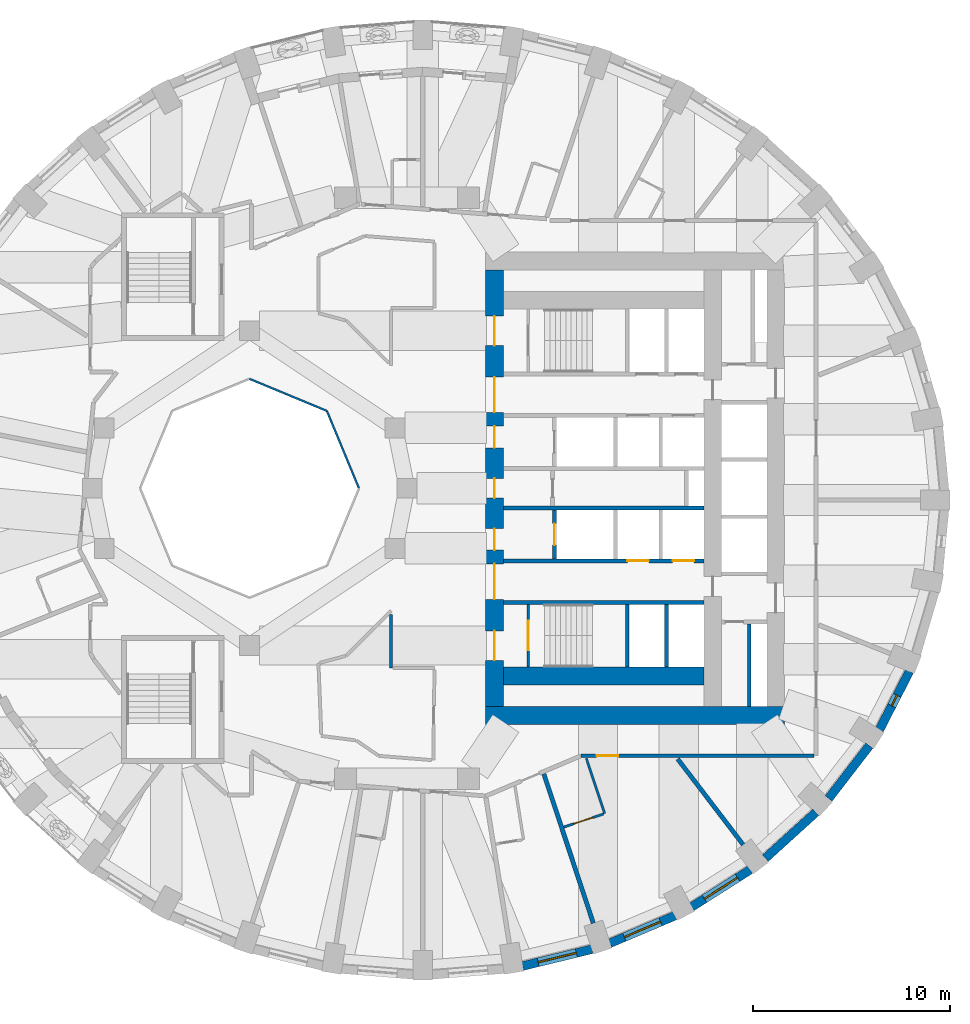
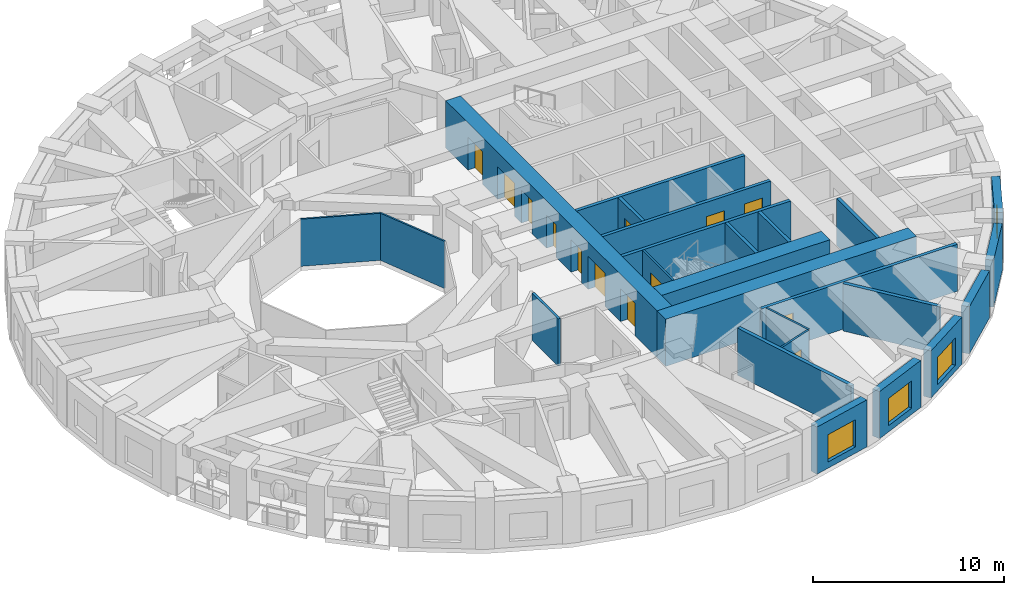
# One storey, part 5 of 12: 25 walls, 13 doors, 4 windows, 17 openings.
"""IFC4 building model written with IfcOpenShell, lengths in metres."""

from ifc_helpers import new_model, si_unit, direction, frame, frame_2d, origin, place, context, subcontext, project, spatial, rectangle, extrude, material, layer, layer_set, type_object, element, fill, save


model = new_model("IFC4")

# Units and contexts
model_context = context("Model", 3, precision=1e-05, world=origin(), true_north=direction((0.0, 1.0)))
body_context = subcontext(model_context, "Body", "Model", "MODEL_VIEW")
ifc_project = project(units=[si_unit("LENGTHUNIT", "METRE"), si_unit("AREAUNIT", "SQUARE_METRE"), si_unit("VOLUMEUNIT", "CUBIC_METRE"), si_unit("PLANEANGLEUNIT", "RADIAN"), si_unit("MASSUNIT", "GRAM", prefix="KILO")], contexts=[model_context])

# Site, building, storey
site_placement = place(None, origin())
site = spatial("IfcSite", under=ifc_project, at=site_placement, CompositionType="ELEMENT")
building_placement = place(site_placement, origin())
building = spatial("IfcBuilding", under=site, at=building_placement, Name="Taillehof Tower", CompositionType="ELEMENT")
storey_placement = place(building_placement, frame((0.0, 0.0, 128.5)))
storey = spatial("IfcBuildingStorey", under=building, at=storey_placement, Name="L36", CompositionType="ELEMENT", Elevation=128.5)

# Walls
ifc_material_1 = material(Name="Fire-resisting glass in steel frame", Category="steel")
ifc_layer_1 = layer(ifc_material_1, 0.10009765625)
ifc_layer_set_1 = layer_set([ifc_layer_1], Name="Atrium fire-resisting screen EI 60 100")
wall_type_1 = type_object("IfcWallType", Name="Atrium fire-resisting screen EI 60 100", PredefinedType="PARTITIONING", material=ifc_layer_set_1)
for number, where, z_axis, x_axis, name in (
    (1, (-8.0, 5.55419921875, 0.0), (0.0, 0.0, 1.0), (0.923860025149, -0.382730523909, 0.0), "Atrium screen"),
    (2, (-4.07275390625, 3.92724609375, 0.0), (0.0, 0.0, 1.0), (0.382730523909, -0.923860025149, 0.0), "Atrium screen"),
):
    element("IfcWall", number, at=place(storey_placement, frame(where, z_axis=z_axis, x_axis=x_axis)), inside=storey, type_object=wall_type_1, Name=name, PredefinedType="PARTITIONING", context=body_context, shape_type="SweptSolid", body=[
        extrude(rectangle(XDim=4.2509765625, YDim=0.10009765625, at=frame_2d((2.12548828125, 0.0))), origin(), (0.0, 0.0, 1.0), 3.02001953125),
    ])

# Wall, opening, window
ifc_material_2 = material(Name="Brick masonry", Category="masonry")
ifc_layer_2 = layer(ifc_material_2, 0.449951171875)
ifc_layer_set_2 = layer_set([ifc_layer_2], Name="Brick infill wall 450")
wall_type_2 = type_object("IfcWallType", Name="Brick infill wall 450", PredefinedType="SOLIDWALL", material=ifc_layer_set_2)
wall_1_placement = place(storey_placement, frame((5.87451171875, -24.29443359375, 0.0), z_axis=(0.0, 0.0, 1.0), x_axis=(0.971667603162, 0.236351579148, 0.0)))
wall_1 = element("IfcWall", 3, at=wall_1_placement, inside=storey, type_object=wall_type_2, Name="Brick wall L36 bay 29", PredefinedType="SOLIDWALL", context=body_context, shape_type="SweptSolid", body=[
    extrude(rectangle(XDim=3.635009765625, YDim=0.449951171875, at=frame_2d((1.8173828125, 0.0))), origin(), (0.0, 0.0, 1.0), 3.02001953125),
])
opening_1_placement = place(wall_1_placement, frame((0.8173828125, 0.0, 0.39990234375)))
opening_1 = element("IfcOpeningElement", 4, at=opening_1_placement, cuts=wall_1, Name="Opening W2", PredefinedType="OPENING", context=body_context, shape_type="SweptSolid", body=[
    extrude(rectangle(XDim=2.0, YDim=1.75, at=frame_2d((1.0, 0.875))), frame((0.0, 0.23486328125, 0.0), z_axis=(0.0, -1.0, 0.0), x_axis=(1.0, 0.0, 0.0)), (0.0, 0.0, 1.0), 0.469970703125),
])
ifc_material_3 = material(Name="Aluminium window frame with clear double glazing", Category="aluminium")
window_type_1 = type_object("IfcWindowType", Name="Deep-set window 2000x1750", PartitioningType="SINGLE_PANEL", PredefinedType="WINDOW", material=ifc_material_3)
window_1_placement = place(opening_1_placement, origin())
window_1 = element("IfcWindow", 5, at=window_1_placement, inside=storey, type_object=window_type_1, Name="W2", OverallHeight=1.75, OverallWidth=2.0, PartitioningType="SINGLE_PANEL", PredefinedType="WINDOW", context=body_context, shape_type="SweptSolid", body=[
    extrude(rectangle(XDim=2.0, YDim=1.75, at=frame_2d((1.0, 0.875))), frame((0.0, 0.034912109375, 0.0), z_axis=(0.0, -1.0, 0.0), x_axis=(1.0, 0.0, 0.0)), (0.0, 0.0, 1.0), 0.06005859375),
])
fill(opening_1, window_1)

wall_2_placement = place(storey_placement, frame((10.318115234375, -23.133544921875, 0.0), z_axis=(0.0, 0.0, 1.0), x_axis=(0.920869643542, 0.389870619055, 0.0)))
wall_2 = element("IfcWall", 6, at=wall_2_placement, inside=storey, type_object=wall_type_2, Name="Brick wall L36 bay 30", PredefinedType="SOLIDWALL", context=body_context, shape_type="SweptSolid", body=[
    extrude(rectangle(XDim=3.59130859375, YDim=0.449951171875, at=frame_2d((1.795654296875, 0.0))), origin(), (0.0, 0.0, 1.0), 3.02001953125),
])
opening_2_placement = place(wall_2_placement, frame((0.795654296875, 0.0, 0.39990234375)))
opening_2 = element("IfcOpeningElement", 7, at=opening_2_placement, cuts=wall_2, Name="Opening W2", PredefinedType="OPENING", context=body_context, shape_type="SweptSolid", body=[
    extrude(rectangle(XDim=2.0, YDim=1.75, at=frame_2d((1.0, 0.875))), frame((0.0, 0.23486328125, 0.0), z_axis=(0.0, -1.0, 0.0), x_axis=(1.0, 0.0, 0.0)), (0.0, 0.0, 1.0), 0.469970703125),
])
window_2_placement = place(opening_2_placement, origin())
window_2 = element("IfcWindow", 8, at=window_2_placement, inside=storey, type_object=window_type_1, Name="W2", OverallHeight=1.75, OverallWidth=2.0, PartitioningType="SINGLE_PANEL", PredefinedType="WINDOW", context=body_context, shape_type="SweptSolid", body=[
    extrude(rectangle(XDim=2.0, YDim=1.75, at=frame_2d((1.0, 0.875))), frame((0.0, 0.034912109375, 0.0), z_axis=(0.0, -1.0, 0.0), x_axis=(1.0, 0.0, 0.0)), (0.0, 0.0, 1.0), 0.06005859375),
])
fill(opening_2, window_2)

wall_3_placement = place(storey_placement, frame((14.475341796875, -21.287109375, 0.0), z_axis=(0.0, 0.0, 1.0), x_axis=(0.843911841423, 0.536481876587, 0.0)))
wall_3 = element("IfcWall", 9, at=wall_3_placement, inside=storey, type_object=wall_type_2, Name="Brick wall L36 bay 31", PredefinedType="SOLIDWALL", context=body_context, shape_type="SweptSolid", body=[
    extrude(rectangle(XDim=3.5322265625, YDim=0.449951171875, at=frame_2d((1.76611328125, 0.0))), origin(), (0.0, 0.0, 1.0), 3.02001953125),
])
opening_3_placement = place(wall_3_placement, frame((0.76611328125, 0.0, 0.39990234375)))
opening_3 = element("IfcOpeningElement", 10, at=opening_3_placement, cuts=wall_3, Name="Opening W2", PredefinedType="OPENING", context=body_context, shape_type="SweptSolid", body=[
    extrude(rectangle(XDim=2.0, YDim=1.75, at=frame_2d((1.0, 0.875))), frame((0.0, 0.23486328125, 0.0), z_axis=(0.0, -1.0, 0.0), x_axis=(1.0, 0.0, 0.0)), (0.0, 0.0, 1.0), 0.469970703125),
])
window_3_placement = place(opening_3_placement, origin())
window_3 = element("IfcWindow", 11, at=window_3_placement, inside=storey, type_object=window_type_1, Name="W2", OverallHeight=1.75, OverallWidth=2.0, PartitioningType="SINGLE_PANEL", PredefinedType="WINDOW", context=body_context, shape_type="SweptSolid", body=[
    extrude(rectangle(XDim=2.0, YDim=1.75, at=frame_2d((1.0, 0.875))), frame((0.0, 0.034912109375, 0.0), z_axis=(0.0, -1.0, 0.0), x_axis=(1.0, 0.0, 0.0)), (0.0, 0.0, 1.0), 0.06005859375),
])
fill(opening_3, window_3)

# Walls
wall_4_placement = place(storey_placement, frame((18.219482421875, -18.8095703125, 0.0), z_axis=(0.0, 0.0, 1.0), x_axis=(0.740364106106, 0.672206062446, 0.0)))
element("IfcWall", 12, at=wall_4_placement, inside=storey, type_object=wall_type_2, Name="Brick wall L36 bay 32", PredefinedType="SOLIDWALL", context=body_context, shape_type="SweptSolid", body=[
    extrude(rectangle(XDim=3.4638671875, YDim=0.449951171875, at=frame_2d((1.73193359375, 0.0))), origin(), (0.0, 0.0, 1.0), 3.02001953125),
])
wall_5_placement = place(storey_placement, frame((21.43505859375, -15.775390625, 0.0), z_axis=(0.0, 0.0, 1.0), x_axis=(0.610693945156, 0.791866721961, 0.0)))
element("IfcWall", 13, at=wall_5_placement, inside=storey, type_object=wall_type_2, Name="Brick wall L36 bay 33", PredefinedType="SOLIDWALL", context=body_context, shape_type="SweptSolid", body=[
    extrude(rectangle(XDim=3.39453125, YDim=0.449951171875, at=frame_2d((1.697265625, 0.0))), origin(), (0.0, 0.0, 1.0), 3.02001953125),
])

# Wall, opening, window
wall_6_placement = place(storey_placement, frame((24.022705078125, -12.27685546875, 0.0), z_axis=(0.0, 0.0, 1.0), x_axis=(0.456828186229, 0.889554949549, 0.0)))
wall_6 = element("IfcWall", 14, at=wall_6_placement, inside=storey, type_object=wall_type_2, Name="Brick wall L36 bay 34", PredefinedType="SOLIDWALL", context=body_context, shape_type="SweptSolid", body=[
    extrude(rectangle(XDim=3.332763671875, YDim=0.449951171875, at=frame_2d((1.66650390625, 0.0))), origin(), (0.0, 0.0, 1.0), 3.02001953125),
])
opening_4_placement = place(wall_6_placement, frame((1.366455078125, 0.0, 0.39990234375)))
opening_4 = element("IfcOpeningElement", 15, at=opening_4_placement, cuts=wall_6, Name="Opening W6", PredefinedType="OPENING", context=body_context, shape_type="SweptSolid", body=[
    extrude(rectangle(XDim=0.60009765625, YDim=1.75, at=frame_2d((0.300048828125, 0.875))), frame((0.0, 0.23486328125, 0.0), z_axis=(0.0, -1.0, 0.0), x_axis=(1.0, 0.0, 0.0)), (0.0, 0.0, 1.0), 0.469970703125),
])
ifc_material_4 = material(Name="Aluminium window frame with clear double glazing", Category="aluminium")
window_type_2 = type_object("IfcWindowType", Name="Slot window 600x1750", PartitioningType="SINGLE_PANEL", PredefinedType="WINDOW", material=ifc_material_4)
window_4_placement = place(opening_4_placement, origin())
window_4 = element("IfcWindow", 16, at=window_4_placement, inside=storey, type_object=window_type_2, Name="W6", OverallHeight=1.75, OverallWidth=0.60009765625, PartitioningType="SINGLE_PANEL", PredefinedType="WINDOW", context=body_context, shape_type="SweptSolid", body=[
    extrude(rectangle(XDim=0.60009765625, YDim=1.75, at=frame_2d((0.300048828125, 0.875))), frame((0.0, 0.034912109375, 0.0), z_axis=(0.0, -1.0, 0.0), x_axis=(1.0, 0.0, 0.0)), (0.0, 0.0, 1.0), 0.06005859375),
])
fill(opening_4, window_4)

# Wall
ifc_material_5 = material(Name="Calcium silicate masonry", Category="masonry")
ifc_layer_3 = layer(ifc_material_5, 0.199951171875)
ifc_layer_set_3 = layer_set([ifc_layer_3], Name="Compartment wall calcium silicate 200")
wall_type_3 = type_object("IfcWallType", Name="Compartment wall calcium silicate 200", PredefinedType="PARTITIONING", material=ifc_layer_set_3)
wall_7_placement = place(storey_placement, frame((17.39990234375, -11.10009765625, 0.0), z_axis=(0.0, 0.0, 1.0), x_axis=(0.0, 1.0, 0.0)))
element("IfcWall", 17, at=wall_7_placement, inside=storey, type_object=wall_type_3, Name="Compartment wall FW", PredefinedType="PARTITIONING", context=body_context, shape_type="SweptSolid", body=[
    extrude(rectangle(XDim=4.2001953125, YDim=0.199951171875, at=frame_2d((2.10009765625, 0.0))), origin(), (0.0, 0.0, 1.0), 3.02001953125),
])

# Wall, opening, door
ifc_material_6 = material(Name="Gypsum board on steel studs, two layers each side", Category="steel")
ifc_layer_4 = layer(ifc_material_6, 0.199951171875)
ifc_layer_set_4 = layer_set([ifc_layer_4], Name="Compartment wall corridor 200")
wall_type_4 = type_object("IfcWallType", Name="Compartment wall corridor 200", PredefinedType="PARTITIONING", material=ifc_layer_set_4)
wall_8_placement = place(storey_placement, frame((20.699951171875, -13.60009765625, 0.0), z_axis=(0.0, 0.0, 1.0), x_axis=(-1.0, 0.0, 0.0)))
wall_8 = element("IfcWall", 18, at=wall_8_placement, inside=storey, type_object=wall_type_4, Name="Compartment wall", PredefinedType="PARTITIONING", context=body_context, shape_type="SweptSolid", body=[
    extrude(rectangle(XDim=11.845458984375, YDim=0.199951171875, at=frame_2d((5.9228515625, 0.0))), origin(), (0.0, 0.0, 1.0), 3.02001953125),
])
opening_5_placement = place(wall_8_placement, frame((9.954345703125, 0.0, 0.0)))
opening_5 = element("IfcOpeningElement", 19, at=opening_5_placement, cuts=wall_8, Name="Opening D3662", PredefinedType="OPENING", context=body_context, shape_type="SweptSolid", body=[
    extrude(rectangle(XDim=1.10009765625, YDim=2.10009765625, at=frame_2d((0.550048828125, 1.050048828125))), frame((0.0, 0.10986328125, 0.0), z_axis=(0.0, -1.0, 0.0), x_axis=(1.0, 0.0, 0.0)), (0.0, 0.0, 1.0), 0.219970703125),
])
ifc_material_7 = material(Name="Timber door leaf in steel frame", Category="steel")
door_type_1 = type_object("IfcDoorType", Name="Accessible guest room door EI 30 1100 x 2100", OperationType="SINGLE_SWING_LEFT", PredefinedType="DOOR", material=ifc_material_7)
door_1_placement = place(opening_5_placement, origin())
door_1 = element("IfcDoor", 20, at=door_1_placement, inside=storey, type_object=door_type_1, Name="D3662", OperationType="SINGLE_SWING_RIGHT", OverallHeight=2.10009765625, OverallWidth=1.10009765625, PredefinedType="DOOR", context=body_context, shape_type="SweptSolid", body=[
    extrude(rectangle(XDim=1.10009765625, YDim=2.10009765625, at=frame_2d((0.550048828125, 1.050048828125))), frame((0.0, 0.02490234375, 0.0), z_axis=(0.0, -1.0, 0.0), x_axis=(1.0, 0.0, 0.0)), (0.0, 0.0, 1.0), 0.050048828125),
])
fill(opening_5, door_1)

# Walls
ifc_material_8 = material(Name="Gypsum board on double steel studs with mineral wool", Category="steel")
ifc_layer_5 = layer(ifc_material_8, 0.219970703125)
ifc_layer_set_5 = layer_set([ifc_layer_5], Name="Compartment wall guest room 220")
wall_type_5 = type_object("IfcWallType", Name="Compartment wall guest room 220", PredefinedType="PARTITIONING", material=ifc_layer_set_5)
wall_9_placement = place(storey_placement, frame((9.4736328125, -22.11181640625, 0.0), z_axis=(0.0, 0.0, 1.0), x_axis=(-0.314540101072, 0.949244186086, 0.0)))
element("IfcWall", 21, at=wall_9_placement, inside=storey, type_object=wall_type_5, Name="Compartment wall", PredefinedType="PARTITIONING", context=body_context, shape_type="SweptSolid", body=[
    extrude(rectangle(XDim=7.98779296875, YDim=0.219970703125, at=frame_2d((3.993896484375, 0.0))), origin(), (0.0, 0.0, 1.0), 3.02001953125),
])
wall_10_placement = place(storey_placement, frame((17.08935546875, -18.120849609375, 0.0), z_axis=(0.0, 0.0, 1.0), x_axis=(-0.607064955951, 0.794652212767, 0.0)))
element("IfcWall", 22, at=wall_10_placement, inside=storey, type_object=wall_type_5, Name="Compartment wall", PredefinedType="PARTITIONING", context=body_context, shape_type="SweptSolid", body=[
    extrude(rectangle(XDim=5.483154296875, YDim=0.219970703125, at=frame_2d((2.74169921875, 0.0))), origin(), (0.0, 0.0, 1.0), 3.02001953125),
])
ifc_material_9 = material(Name="Gypsum board on steel studs, two layers each side", Category="steel")
ifc_layer_6 = layer(ifc_material_9, 0.14990234375)
ifc_layer_set_6 = layer_set([ifc_layer_6], Name="Compartment wall service room 150")
wall_type_6 = type_object("IfcWallType", Name="Compartment wall service room 150", PredefinedType="PARTITIONING", material=ifc_layer_set_6)
wall_11_placement = place(storey_placement, frame((-0.800048828125, -6.415283203125, 0.0), z_axis=(0.0, 0.0, 1.0), x_axis=(0.0, -1.0, 0.0)))
element("IfcWall", 23, at=wall_11_placement, inside=storey, type_object=wall_type_6, Name="Compartment wall", PredefinedType="PARTITIONING", context=body_context, shape_type="SweptSolid", body=[
    extrude(rectangle(XDim=2.734619140625, YDim=0.14990234375, at=frame_2d((1.3671875, 0.0))), origin(), (0.0, 0.0, 1.0), 3.02001953125),
])

# Wall, openings, doors
ifc_material_10 = material(Name="Concrete C80/95", Category="concrete")
ifc_layer_7 = layer(ifc_material_10, 0.89990234375)
ifc_layer_set_7 = layer_set([ifc_layer_7], Name="Core wall C80/95 900")
wall_type_7 = type_object("IfcWallType", Name="Core wall C80/95 900", PredefinedType="SHEAR", material=ifc_layer_set_7)
wall_12_placement = place(storey_placement, frame((4.449951171875, -11.10009765625, 0.0), z_axis=(0.0, 0.0, 1.0), x_axis=(0.0, 1.0, 0.0)))
wall_12 = element("IfcWall", 24, at=wall_12_placement, inside=storey, type_object=wall_type_7, Name="Core wall CW01", PredefinedType="SHEAR", context=body_context, shape_type="SweptSolid", body=[
    extrude(rectangle(XDim=22.2001953125, YDim=0.89990234375, at=frame_2d((11.10009765625, 0.0))), origin(), (0.0, 0.0, 1.0), 3.02001953125),
])
opening_6_placement = place(wall_12_placement, frame((2.35009765625, 0.0, 0.0)))
opening_6 = element("IfcOpeningElement", 25, at=opening_6_placement, cuts=wall_12, Name="Opening D3601", PredefinedType="OPENING", context=body_context, shape_type="SweptSolid", body=[
    extrude(rectangle(XDim=1.5, YDim=2.10009765625, at=frame_2d((0.75, 1.050048828125))), frame((0.0, 0.4599609375, 0.0), z_axis=(0.0, -1.0, 0.0), x_axis=(1.0, 0.0, 0.0)), (0.0, 0.0, 1.0), 0.919921875),
])
opening_7_placement = place(wall_12_placement, frame((5.449951171875, 0.0, 0.0)))
opening_7 = element("IfcOpeningElement", 26, at=opening_7_placement, cuts=wall_12, Name="Opening D3602", PredefinedType="OPENING", context=body_context, shape_type="SweptSolid", body=[
    extrude(rectangle(XDim=1.800048828125, YDim=2.10009765625, at=frame_2d((0.89990234375, 1.050048828125))), frame((0.0, 0.4599609375, 0.0), z_axis=(0.0, -1.0, 0.0), x_axis=(1.0, 0.0, 0.0)), (0.0, 0.0, 1.0), 0.919921875),
])
opening_8_placement = place(wall_12_placement, frame((7.949951171875, 0.0, 0.0)))
opening_8 = element("IfcOpeningElement", 27, at=opening_8_placement, cuts=wall_12, Name="Opening D3603", PredefinedType="OPENING", context=body_context, shape_type="SweptSolid", body=[
    extrude(rectangle(XDim=1.10009765625, YDim=2.10009765625, at=frame_2d((0.550048828125, 1.050048828125))), frame((0.0, 0.4599609375, 0.0), z_axis=(0.0, -1.0, 0.0), x_axis=(1.0, 0.0, 0.0)), (0.0, 0.0, 1.0), 0.919921875),
])
opening_9_placement = place(wall_12_placement, frame((10.60009765625, 0.0, 0.0)))
opening_9 = element("IfcOpeningElement", 28, at=opening_9_placement, cuts=wall_12, Name="Opening D3604", PredefinedType="OPENING", context=body_context, shape_type="SweptSolid", body=[
    extrude(rectangle(XDim=1.0, YDim=2.10009765625, at=frame_2d((0.5, 1.050048828125))), frame((0.0, 0.4599609375, 0.0), z_axis=(0.0, -1.0, 0.0), x_axis=(1.0, 0.0, 0.0)), (0.0, 0.0, 1.0), 0.919921875),
])
opening_10_placement = place(wall_12_placement, frame((13.14990234375, 0.0, 0.0)))
opening_10 = element("IfcOpeningElement", 29, at=opening_10_placement, cuts=wall_12, Name="Opening D3605", PredefinedType="OPENING", context=body_context, shape_type="SweptSolid", body=[
    extrude(rectangle(XDim=1.10009765625, YDim=2.10009765625, at=frame_2d((0.550048828125, 1.050048828125))), frame((0.0, 0.4599609375, 0.0), z_axis=(0.0, -1.0, 0.0), x_axis=(1.0, 0.0, 0.0)), (0.0, 0.0, 1.0), 0.919921875),
])
opening_11_placement = place(wall_12_placement, frame((14.949951171875, 0.0, 0.0)))
opening_11 = element("IfcOpeningElement", 30, at=opening_11_placement, cuts=wall_12, Name="Opening D3606", PredefinedType="OPENING", context=body_context, shape_type="SweptSolid", body=[
    extrude(rectangle(XDim=1.800048828125, YDim=2.10009765625, at=frame_2d((0.89990234375, 1.050048828125))), frame((0.0, 0.4599609375, 0.0), z_axis=(0.0, -1.0, 0.0), x_axis=(1.0, 0.0, 0.0)), (0.0, 0.0, 1.0), 0.919921875),
])
opening_12_placement = place(wall_12_placement, frame((18.35009765625, 0.0, 0.0)))
opening_12 = element("IfcOpeningElement", 31, at=opening_12_placement, cuts=wall_12, Name="Opening D3607", PredefinedType="OPENING", context=body_context, shape_type="SweptSolid", body=[
    extrude(rectangle(XDim=1.5, YDim=2.10009765625, at=frame_2d((0.75, 1.050048828125))), frame((0.0, 0.4599609375, 0.0), z_axis=(0.0, -1.0, 0.0), x_axis=(1.0, 0.0, 0.0)), (0.0, 0.0, 1.0), 0.919921875),
])
ifc_material_11 = material(Name="Steel-faced fire door", Category="steel")
door_type_2 = type_object("IfcDoorType", Name="Firefighting lobby door 1100x2100", OperationType="SINGLE_SWING_RIGHT", PredefinedType="DOOR", material=ifc_material_11)
door_2_placement = place(opening_8_placement, origin())
door_2 = element("IfcDoor", 32, at=door_2_placement, inside=storey, type_object=door_type_2, Name="Firefighting lobby door FFL-S", OperationType="SINGLE_SWING_RIGHT", OverallHeight=2.10009765625, OverallWidth=1.10009765625, PredefinedType="DOOR", context=body_context, shape_type="SweptSolid", body=[
    extrude(rectangle(XDim=1.10009765625, YDim=2.10009765625, at=frame_2d((0.550048828125, 1.050048828125))), frame((0.0, 0.02490234375, 0.0), z_axis=(0.0, -1.0, 0.0), x_axis=(1.0, 0.0, 0.0)), (0.0, 0.0, 1.0), 0.050048828125),
])
fill(opening_8, door_2)
door_3_placement = place(opening_10_placement, origin())
door_3 = element("IfcDoor", 33, at=door_3_placement, inside=storey, type_object=door_type_2, Name="Firefighting lobby door FFL-N", OperationType="SINGLE_SWING_LEFT", OverallHeight=2.10009765625, OverallWidth=1.10009765625, PredefinedType="DOOR", context=body_context, shape_type="SweptSolid", body=[
    extrude(rectangle(XDim=1.10009765625, YDim=2.10009765625, at=frame_2d((0.550048828125, 1.050048828125))), frame((0.0, 0.02490234375, 0.0), z_axis=(0.0, -1.0, 0.0), x_axis=(1.0, 0.0, 0.0)), (0.0, 0.0, 1.0), 0.050048828125),
])
fill(opening_10, door_3)
ifc_material_12 = material(Name="Steel-faced fire door", Category="steel")
door_type_3 = type_object("IfcDoorType", Name="Lift lobby door 1800x2100", OperationType="DOUBLE_DOOR_SINGLE_SWING", PredefinedType="DOOR", material=ifc_material_12)
door_4_placement = place(opening_7_placement, origin())
door_4 = element("IfcDoor", 34, at=door_4_placement, inside=storey, type_object=door_type_3, Name="Lift lobby door LL-S", OperationType="DOUBLE_DOOR_SINGLE_SWING", OverallHeight=2.10009765625, OverallWidth=1.800048828125, PredefinedType="DOOR", context=body_context, shape_type="SweptSolid", body=[
    extrude(rectangle(XDim=1.800048828125, YDim=2.10009765625, at=frame_2d((0.89990234375, 1.050048828125))), frame((0.0, 0.02490234375, 0.0), z_axis=(0.0, -1.0, 0.0), x_axis=(1.0, 0.0, 0.0)), (0.0, 0.0, 1.0), 0.050048828125),
])
fill(opening_7, door_4)
door_5_placement = place(opening_11_placement, origin())
door_5 = element("IfcDoor", 35, at=door_5_placement, inside=storey, type_object=door_type_3, Name="Lift lobby door LL-N", OperationType="DOUBLE_DOOR_SINGLE_SWING", OverallHeight=2.10009765625, OverallWidth=1.800048828125, PredefinedType="DOOR", context=body_context, shape_type="SweptSolid", body=[
    extrude(rectangle(XDim=1.800048828125, YDim=2.10009765625, at=frame_2d((0.89990234375, 1.050048828125))), frame((0.0, 0.02490234375, 0.0), z_axis=(0.0, -1.0, 0.0), x_axis=(1.0, 0.0, 0.0)), (0.0, 0.0, 1.0), 0.050048828125),
])
fill(opening_11, door_5)
ifc_material_13 = material(Name="Steel-faced fire door", Category="steel")
door_type_4 = type_object("IfcDoorType", Name="Service door 1000x2100", OperationType="SINGLE_SWING_RIGHT", PredefinedType="DOOR", material=ifc_material_13)
door_6_placement = place(opening_9_placement, origin())
door_6 = element("IfcDoor", 36, at=door_6_placement, inside=storey, type_object=door_type_4, Name="Service door SV", OperationType="SINGLE_SWING_LEFT", OverallHeight=2.10009765625, OverallWidth=1.0, PredefinedType="DOOR", context=body_context, shape_type="SweptSolid", body=[
    extrude(rectangle(XDim=1.0, YDim=2.10009765625, at=frame_2d((0.5, 1.050048828125))), frame((0.0, 0.02490234375, 0.0), z_axis=(0.0, -1.0, 0.0), x_axis=(1.0, 0.0, 0.0)), (0.0, 0.0, 1.0), 0.050048828125),
])
fill(opening_9, door_6)
ifc_material_14 = material(Name="Steel-faced fire door", Category="steel")
door_type_5 = type_object("IfcDoorType", Name="Stair door 1500x2100", OperationType="DOUBLE_DOOR_SINGLE_SWING", PredefinedType="DOOR", material=ifc_material_14)
door_7_placement = place(opening_6_placement, origin())
door_7 = element("IfcDoor", 37, at=door_7_placement, inside=storey, type_object=door_type_5, Name="Stair door S2", OperationType="DOUBLE_DOOR_SINGLE_SWING", OverallHeight=2.10009765625, OverallWidth=1.5, PredefinedType="DOOR", context=body_context, shape_type="SweptSolid", body=[
    extrude(rectangle(XDim=1.5, YDim=2.10009765625, at=frame_2d((0.75, 1.050048828125))), frame((0.0, 0.02490234375, 0.0), z_axis=(0.0, -1.0, 0.0), x_axis=(1.0, 0.0, 0.0)), (0.0, 0.0, 1.0), 0.050048828125),
])
fill(opening_6, door_7)
door_8_placement = place(opening_12_placement, origin())
door_8 = element("IfcDoor", 38, at=door_8_placement, inside=storey, type_object=door_type_5, Name="Stair door S1", OperationType="DOUBLE_DOOR_SINGLE_SWING", OverallHeight=2.10009765625, OverallWidth=1.5, PredefinedType="DOOR", context=body_context, shape_type="SweptSolid", body=[
    extrude(rectangle(XDim=1.5, YDim=2.10009765625, at=frame_2d((0.75, 1.050048828125))), frame((0.0, 0.02490234375, 0.0), z_axis=(0.0, -1.0, 0.0), x_axis=(1.0, 0.0, 0.0)), (0.0, 0.0, 1.0), 0.050048828125),
])
fill(opening_12, door_8)

# Walls
wall_13_placement = place(storey_placement, frame((4.0, -11.550048828125, 0.0), z_axis=(0.0, 0.0, 1.0), x_axis=(1.0, 0.0, 0.0)))
element("IfcWall", 39, at=wall_13_placement, inside=storey, type_object=wall_type_7, Name="Core wall CW04", PredefinedType="SHEAR", context=body_context, shape_type="SweptSolid", body=[
    extrude(rectangle(XDim=15.199951171875, YDim=0.89990234375, at=frame_2d((7.60009765625, 0.0))), origin(), (0.0, 0.0, 1.0), 3.02001953125),
])
wall_14_placement = place(storey_placement, frame((4.89990234375, -9.550048828125, 0.0), z_axis=(0.0, 0.0, 1.0), x_axis=(1.0, 0.0, 0.0)))
element("IfcWall", 40, at=wall_14_placement, inside=storey, type_object=wall_type_7, Name="Core wall CW07", PredefinedType="SHEAR", context=body_context, shape_type="SweptSolid", body=[
    extrude(rectangle(XDim=10.2001953125, YDim=0.89990234375, at=frame_2d((5.10009765625, 0.0))), origin(), (0.0, 0.0, 1.0), 3.02001953125),
])
ifc_material_15 = material(Name="Gypsum board on steel studs, moisture resistant", Category="steel")
ifc_layer_8 = layer(ifc_material_15, 0.1201171875)
ifc_layer_set_8 = layer_set([ifc_layer_8], Name="En-suite wall 120")
wall_type_8 = type_object("IfcWallType", Name="En-suite wall 120", PredefinedType="PARTITIONING", material=ifc_layer_set_8)
wall_15_placement = place(storey_placement, frame((9.11572265625, -13.71923828125, 0.0), z_axis=(0.0, 0.0, 1.0), x_axis=(0.314476938086, -0.949265113344, 0.0)))
element("IfcWall", 41, at=wall_15_placement, inside=storey, type_object=wall_type_8, Name="En-suite wall", PredefinedType="PARTITIONING", context=body_context, shape_type="SweptSolid", body=[
    extrude(rectangle(XDim=2.970947265625, YDim=0.1201171875, at=frame_2d((1.4853515625, 0.0))), origin(), (0.0, 0.0, 1.0), 3.02001953125),
])

# Wall, opening, door
wall_16_placement = place(storey_placement, frame((9.992919921875, -16.55859375, 0.0), z_axis=(0.0, 0.0, 1.0), x_axis=(-0.94926636949, -0.314473146318, 0.0)))
wall_16 = element("IfcWall", 42, at=wall_16_placement, inside=storey, type_object=wall_type_8, Name="En-suite wall", PredefinedType="PARTITIONING", context=body_context, shape_type="SweptSolid", body=[
    extrude(rectangle(XDim=2.129638671875, YDim=0.1201171875, at=frame_2d((1.06494140625, 0.0))), origin(), (0.0, 0.0, 1.0), 3.02001953125),
])
opening_13_placement = place(wall_16_placement, frame((0.589599609375, 0.0, 0.0)))
opening_13 = element("IfcOpeningElement", 43, at=opening_13_placement, cuts=wall_16, Name="Opening D3663", PredefinedType="OPENING", context=body_context, shape_type="SweptSolid", body=[
    extrude(rectangle(XDim=1.0, YDim=2.10009765625, at=frame_2d((0.5, 1.050048828125))), frame((0.0, 0.070068359375, 0.0), z_axis=(0.0, -1.0, 0.0), x_axis=(1.0, 0.0, 0.0)), (0.0, 0.0, 1.0), 0.14013671875),
])
ifc_material_16 = material(Name="Timber door leaf in steel frame", Category="steel")
door_type_6 = type_object("IfcDoorType", Name="Accessible en-suite door 1000 x 2100", OperationType="SINGLE_SWING_LEFT", PredefinedType="DOOR", material=ifc_material_16)
door_9_placement = place(opening_13_placement, origin())
door_9 = element("IfcDoor", 44, at=door_9_placement, inside=storey, type_object=door_type_6, Name="D3663", OperationType="SINGLE_SWING_RIGHT", OverallHeight=2.10009765625, OverallWidth=1.0, PredefinedType="DOOR", context=body_context, shape_type="SweptSolid", body=[
    extrude(rectangle(XDim=1.0, YDim=2.10009765625, at=frame_2d((0.5, 1.050048828125))), frame((0.0, 0.02490234375, 0.0), z_axis=(0.0, -1.0, 0.0), x_axis=(1.0, 0.0, 0.0)), (0.0, 0.0, 1.0), 0.050048828125),
])
fill(opening_13, door_9)

# Wall
ifc_material_17 = material(Name="Concrete C50/60", Category="concrete")
ifc_layer_9 = layer(ifc_material_17, 0.199951171875)
ifc_layer_set_9 = layer_set([ifc_layer_9], Name="Shaft wall C50/60 200")
wall_type_9 = type_object("IfcWallType", Name="Shaft wall C50/60 200", PredefinedType="SHEAR", material=ifc_layer_set_9)
wall_17_placement = place(storey_placement, frame((4.89990234375, -1.0, 0.0), z_axis=(0.0, 0.0, 1.0), x_axis=(1.0, 0.0, 0.0)))
element("IfcWall", 45, at=wall_17_placement, inside=storey, type_object=wall_type_9, Name="Shaft wall SW", PredefinedType="SHEAR", context=body_context, shape_type="SweptSolid", body=[
    extrude(rectangle(XDim=10.2001953125, YDim=0.199951171875, at=frame_2d((5.10009765625, 0.0))), origin(), (0.0, 0.0, 1.0), 3.02001953125),
])

# Wall, openings, doors
wall_18_placement = place(storey_placement, frame((4.89990234375, -3.699951171875, 0.0), z_axis=(0.0, 0.0, 1.0), x_axis=(1.0, 0.0, 0.0)))
wall_18 = element("IfcWall", 46, at=wall_18_placement, inside=storey, type_object=wall_type_9, Name="Shaft wall SW", PredefinedType="SHEAR", context=body_context, shape_type="SweptSolid", body=[
    extrude(rectangle(XDim=10.2001953125, YDim=0.199951171875, at=frame_2d((5.10009765625, 0.0))), origin(), (0.0, 0.0, 1.0), 3.02001953125),
])
opening_14_placement = place(wall_18_placement, frame((6.300048828125, 0.0, 0.0)))
opening_14 = element("IfcOpeningElement", 47, at=opening_14_placement, cuts=wall_18, Name="Opening LD1", PredefinedType="OPENING", context=body_context, shape_type="SweptSolid", body=[
    extrude(rectangle(XDim=1.10009765625, YDim=2.10009765625, at=frame_2d((0.550048828125, 1.050048828125))), frame((0.0, 0.10986328125, 0.0), z_axis=(0.0, -1.0, 0.0), x_axis=(1.0, 0.0, 0.0)), (0.0, 0.0, 1.0), 0.219970703125),
])
opening_15_placement = place(wall_18_placement, frame((8.60009765625, 0.0, 0.0)))
opening_15 = element("IfcOpeningElement", 48, at=opening_15_placement, cuts=wall_18, Name="Opening LD1", PredefinedType="OPENING", context=body_context, shape_type="SweptSolid", body=[
    extrude(rectangle(XDim=1.10009765625, YDim=2.10009765625, at=frame_2d((0.550048828125, 1.050048828125))), frame((0.0, 0.10986328125, 0.0), z_axis=(0.0, -1.0, 0.0), x_axis=(1.0, 0.0, 0.0)), (0.0, 0.0, 1.0), 0.219970703125),
])
ifc_material_18 = material(Name="Stainless steel", Category="steel")
door_type_7 = type_object("IfcDoorType", Name="Lift landing door LD1 1100x2100", OperationType="DOUBLE_DOOR_SLIDING", PredefinedType="DOOR", material=ifc_material_18)
door_10_placement = place(opening_14_placement, origin())
door_10 = element("IfcDoor", 49, at=door_10_placement, inside=storey, type_object=door_type_7, Name="Landing door LR5", OperationType="DOUBLE_DOOR_SLIDING", OverallHeight=2.10009765625, OverallWidth=1.10009765625, PredefinedType="DOOR", context=body_context, shape_type="SweptSolid", body=[
    extrude(rectangle(XDim=1.10009765625, YDim=2.10009765625, at=frame_2d((0.550048828125, 1.050048828125))), frame((0.0, 0.02490234375, 0.0), z_axis=(0.0, -1.0, 0.0), x_axis=(1.0, 0.0, 0.0)), (0.0, 0.0, 1.0), 0.050048828125),
])
fill(opening_14, door_10)
door_11_placement = place(opening_15_placement, origin())
door_11 = element("IfcDoor", 50, at=door_11_placement, inside=storey, type_object=door_type_7, Name="Landing door LR6", OperationType="DOUBLE_DOOR_SLIDING", OverallHeight=2.10009765625, OverallWidth=1.10009765625, PredefinedType="DOOR", context=body_context, shape_type="SweptSolid", body=[
    extrude(rectangle(XDim=1.10009765625, YDim=2.10009765625, at=frame_2d((0.550048828125, 1.050048828125))), frame((0.0, 0.02490234375, 0.0), z_axis=(0.0, -1.0, 0.0), x_axis=(1.0, 0.0, 0.0)), (0.0, 0.0, 1.0), 0.050048828125),
])
fill(opening_15, door_11)

# Walls
wall_19_placement = place(storey_placement, frame((4.89990234375, -5.800048828125, 0.0), z_axis=(0.0, 0.0, 1.0), x_axis=(1.0, 0.0, 0.0)))
element("IfcWall", 51, at=wall_19_placement, inside=storey, type_object=wall_type_9, Name="Shaft wall SW", PredefinedType="SHEAR", context=body_context, shape_type="SweptSolid", body=[
    extrude(rectangle(XDim=10.2001953125, YDim=0.199951171875, at=frame_2d((5.10009765625, 0.0))), origin(), (0.0, 0.0, 1.0), 3.02001953125),
])
for number, where, z_axis, x_axis, name in (
    (52, (11.199951171875, -9.10009765625, 0.0), (0.0, 0.0, 1.0), (0.0, 1.0, 0.0), "Shaft wall SW"),
    (53, (13.199951171875, -9.10009765625, 0.0), (0.0, 0.0, 1.0), (0.0, 1.0, 0.0), "Shaft wall SW"),
):
    element("IfcWall", number, at=place(storey_placement, frame(where, z_axis=z_axis, x_axis=x_axis)), inside=storey, type_object=wall_type_9, Name=name, PredefinedType="SHEAR", context=body_context, shape_type="SweptSolid", body=[
        extrude(rectangle(XDim=3.2001953125, YDim=0.199951171875, at=frame_2d((1.60009765625, 0.0))), origin(), (0.0, 0.0, 1.0), 3.02001953125),
    ])

# Wall, opening, door
wall_20_placement = place(storey_placement, frame((7.5, -3.60009765625, 0.0), z_axis=(0.0, 0.0, 1.0), x_axis=(0.0, 1.0, 0.0)))
wall_20 = element("IfcWall", 54, at=wall_20_placement, inside=storey, type_object=wall_type_9, Name="Shaft wall SW", PredefinedType="SHEAR", context=body_context, shape_type="SweptSolid", body=[
    extrude(rectangle(XDim=2.5, YDim=0.199951171875, at=frame_2d((1.25, 0.0))), origin(), (0.0, 0.0, 1.0), 3.02001953125),
])
opening_16_placement = place(wall_20_placement, frame((0.699951171875, 0.0, 0.0)))
opening_16 = element("IfcOpeningElement", 55, at=opening_16_placement, cuts=wall_20, Name="Opening LD1", PredefinedType="OPENING", context=body_context, shape_type="SweptSolid", body=[
    extrude(rectangle(XDim=1.10009765625, YDim=2.10009765625, at=frame_2d((0.550048828125, 1.050048828125))), frame((0.0, 0.10986328125, 0.0), z_axis=(0.0, -1.0, 0.0), x_axis=(1.0, 0.0, 0.0)), (0.0, 0.0, 1.0), 0.219970703125),
])
door_12_placement = place(opening_16_placement, origin())
door_12 = element("IfcDoor", 56, at=door_12_placement, inside=storey, type_object=door_type_7, Name="Landing door FF2", OperationType="DOUBLE_DOOR_SLIDING", OverallHeight=2.10009765625, OverallWidth=1.10009765625, PredefinedType="DOOR", context=body_context, shape_type="SweptSolid", body=[
    extrude(rectangle(XDim=1.10009765625, YDim=2.10009765625, at=frame_2d((0.550048828125, 1.050048828125))), frame((0.0, 0.02490234375, 0.0), z_axis=(0.0, -1.0, 0.0), x_axis=(1.0, 0.0, 0.0)), (0.0, 0.0, 1.0), 0.050048828125),
])
fill(opening_16, door_12)

ifc_material_19 = material(Name="Concrete C50/60", Category="concrete")
ifc_layer_10 = layer(ifc_material_19, 0.1201171875)
ifc_layer_set_10 = layer_set([ifc_layer_10], Name="Stair lobby wall C50/60 120")
wall_type_10 = type_object("IfcWallType", Name="Stair lobby wall C50/60 120", PredefinedType="SHEAR", material=ifc_layer_set_10)
wall_21_placement = place(storey_placement, frame((6.159912109375, -9.10009765625, 0.0), z_axis=(0.0, 0.0, 1.0), x_axis=(0.0, 1.0, 0.0)))
wall_21 = element("IfcWall", 57, at=wall_21_placement, inside=storey, type_object=wall_type_10, Name="Compartment wall SW", PredefinedType="SHEAR", context=body_context, shape_type="SweptSolid", body=[
    extrude(rectangle(XDim=3.2001953125, YDim=0.1201171875, at=frame_2d((1.60009765625, 0.0))), origin(), (0.0, 0.0, 1.0), 3.02001953125),
])
opening_17_placement = place(wall_21_placement, frame((0.85009765625, 0.0, 0.0)))
opening_17 = element("IfcOpeningElement", 58, at=opening_17_placement, cuts=wall_21, Name="Opening D3611", PredefinedType="OPENING", context=body_context, shape_type="SweptSolid", body=[
    extrude(rectangle(XDim=1.5, YDim=2.10009765625, at=frame_2d((0.75, 1.050048828125))), frame((0.0, 0.070068359375, 0.0), z_axis=(0.0, -1.0, 0.0), x_axis=(1.0, 0.0, 0.0)), (0.0, 0.0, 1.0), 0.14013671875),
])
door_13_placement = place(opening_17_placement, origin())
door_13 = element("IfcDoor", 59, at=door_13_placement, inside=storey, type_object=door_type_5, Name="Stair lobby door S2", OperationType="DOUBLE_DOOR_SINGLE_SWING", OverallHeight=2.10009765625, OverallWidth=1.5, PredefinedType="DOOR", context=body_context, shape_type="SweptSolid", body=[
    extrude(rectangle(XDim=1.5, YDim=2.10009765625, at=frame_2d((0.75, 1.050048828125))), frame((0.0, 0.02490234375, 0.0), z_axis=(0.0, -1.0, 0.0), x_axis=(1.0, 0.0, 0.0)), (0.0, 0.0, 1.0), 0.050048828125),
])
fill(opening_17, door_13)

save(model, "model.ifc")
